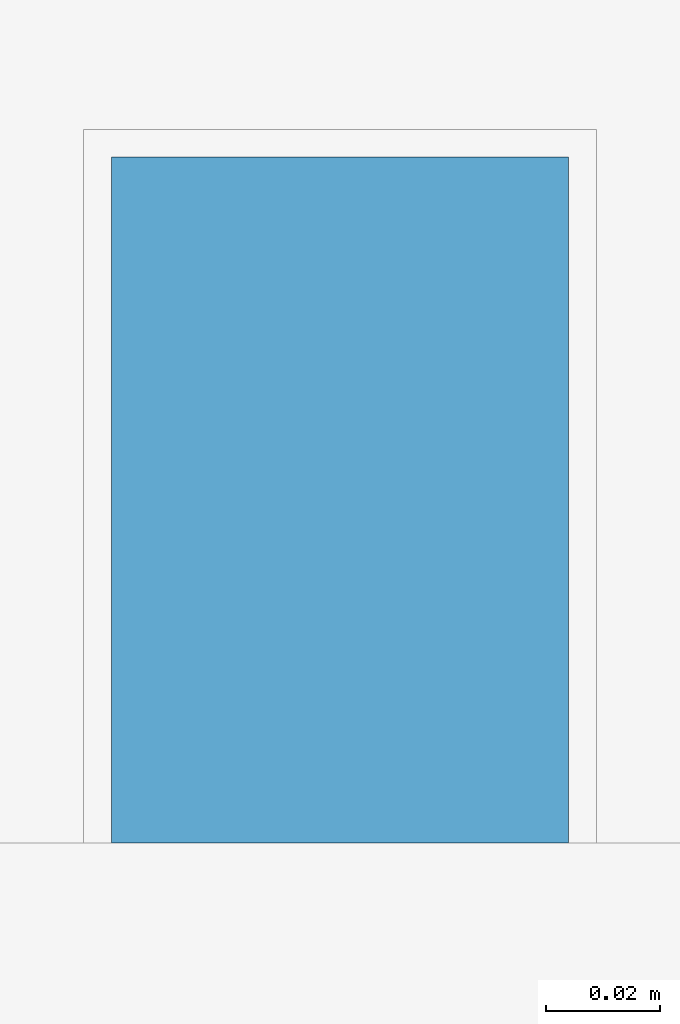
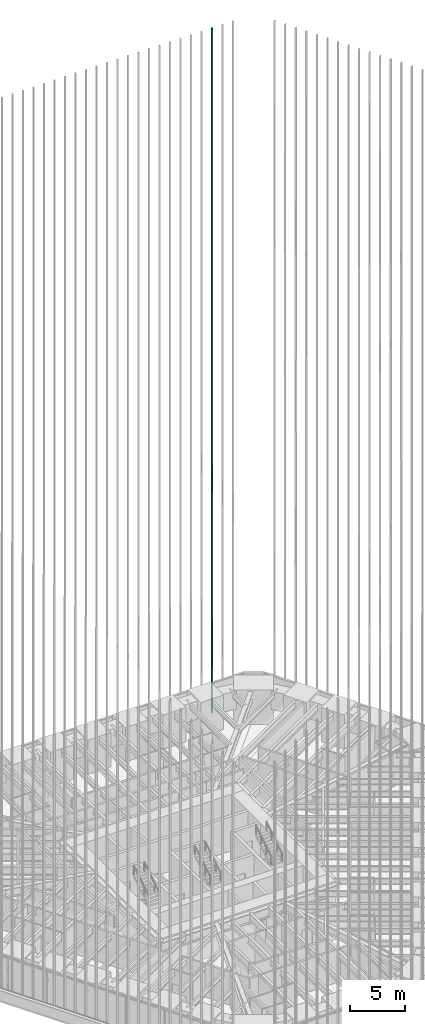
# One storey, part 218 of 238: 1 member, 1 element without a shape of its own.
"""IFC4 building model written with IfcOpenShell, lengths in metres."""

from ifc_helpers import new_model, si_unit, direction, frame, origin, origin_2d, place, context, subcontext, project, spatial, rectangle, extrude, material, material_profile, profile_set, type_object, element, aggregate, save


model = new_model("IFC4")

# Units and contexts
model_context = context("Model", 3, precision=1e-05, world=origin(), true_north=direction((0.0, 1.0)))
body_context = subcontext(model_context, "Body", "Model", "MODEL_VIEW")
ifc_project = project(units=[si_unit("LENGTHUNIT", "METRE"), si_unit("AREAUNIT", "SQUARE_METRE"), si_unit("VOLUMEUNIT", "CUBIC_METRE"), si_unit("PLANEANGLEUNIT", "RADIAN"), si_unit("MASSUNIT", "GRAM", prefix="KILO")], contexts=[model_context])

# Site, building, storey
site_placement = place(None, origin())
site = spatial("IfcSite", under=ifc_project, at=site_placement, CompositionType="ELEMENT")
building_placement = place(site_placement, origin())
building = spatial("IfcBuilding", under=site, at=building_placement, Name="Sandreach Pilgrim Tower", CompositionType="ELEMENT")
storey_placement = place(building_placement, frame((0.0, 0.0, 96.800048828125)))
storey = spatial("IfcBuildingStorey", under=building, at=storey_placement, Name="L23", CompositionType="ELEMENT", Elevation=96.800048828125)

# Curtain wall, member
ifc_material_1 = material(Name="Aluminium framed curtain wall", Category="aluminium")
curtain_wall_type = type_object("IfcCurtainWallType", Name="Hotel tower curtain wall", PredefinedType="NOTDEFINED", material=ifc_material_1)
curtain_wall_placement = place(storey_placement, origin())
curtain_wall = element("IfcCurtainWall", 1, at=curtain_wall_placement, inside=storey, type_object=curtain_wall_type, Name="CW-2 L23 N", PredefinedType="NOTDEFINED")
ifc_material_2 = material(Name="Extruded terracotta on aluminium core", Category="masonry")
ifc_material_profile = material_profile(ifc_material_2, rectangle(XDim=0.080078125, YDim=0.1201171875, at=origin_2d()), Name="TBN 80X120")
ifc_profile_set = profile_set([ifc_material_profile], Name="Extruded terracotta on aluminium core")
member_type = type_object("IfcMemberType", Name="Terracotta baguette north", PredefinedType="USERDEFINED", material=ifc_profile_set)
member_placement = place(storey_placement, frame((15.39111328125, 22.853759765625, 0.0), z_axis=(0.0, 0.0, 1.0), x_axis=(1.0, 0.0, 0.0)))
member = element("IfcMember", 2, at=member_placement, type_object=member_type, Name="Baguette Z2 N31", ObjectType="BAGUETTE", PredefinedType="USERDEFINED", context=body_context, shape_type="SweptSolid", body=[
    extrude(rectangle(XDim=0.080078125, YDim=0.1201171875, at=origin_2d()), origin(), (0.0, 0.0, 1.0), 75.83984375),
])
aggregate(curtain_wall, [member])

save(model, "model.ifc")
